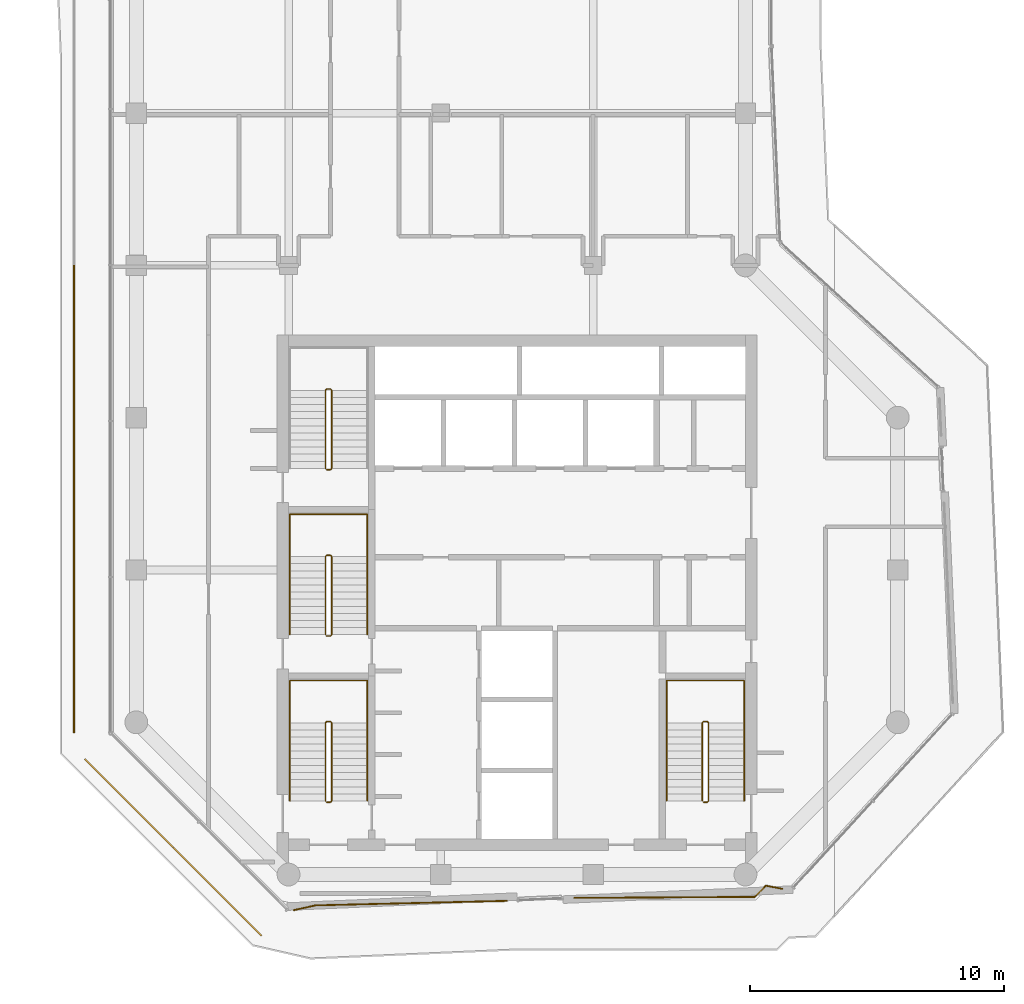
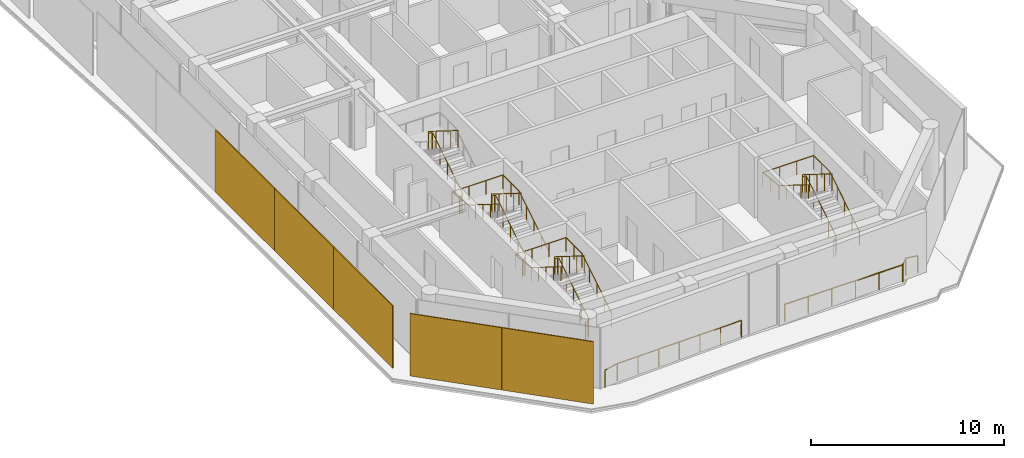
# One storey, part 20 of 21: 9 railings, 5 coverings.
"""IFC4 building model written with IfcOpenShell, lengths in metres."""

from ifc_helpers import new_model, si_unit, direction, frame, origin, origin_2d, place, context, subcontext, project, spatial, rectangle, circle, extrude, material, layer, layer_set, type_object, element, save


model = new_model("IFC4")

# Units and contexts
model_context = context("Model", 3, precision=1e-05, world=origin(), true_north=direction((0.0, 1.0)))
body_context = subcontext(model_context, "Body", "Model", "MODEL_VIEW")
ifc_project = project(units=[si_unit("LENGTHUNIT", "METRE"), si_unit("AREAUNIT", "SQUARE_METRE"), si_unit("VOLUMEUNIT", "CUBIC_METRE"), si_unit("PLANEANGLEUNIT", "RADIAN"), si_unit("MASSUNIT", "GRAM", prefix="KILO")], contexts=[model_context])

# Site, building, storey
site_placement = place(None, origin())
site = spatial("IfcSite", under=ifc_project, at=site_placement, CompositionType="ELEMENT")
building_placement = place(site_placement, origin())
building = spatial("IfcBuilding", under=site, at=building_placement, Name="Welwitschia Terrace Campus", CompositionType="ELEMENT")
storey_placement = place(building_placement, frame((0.0, 0.0, 218.0)))
storey = spatial("IfcBuildingStorey", under=building, at=storey_placement, Name="L48", CompositionType="ELEMENT", Elevation=218.0)

# Coverings
ifc_material_1 = material(Name="Bronze mesh aluminium screen", Category="aluminium")
ifc_layer = layer(ifc_material_1, 0.06005859375)
ifc_layer_set = layer_set([ifc_layer], Name="Bronze mesh aluminium screen")
covering_type = type_object("IfcCoveringType", Name="Bronze screen 60", PredefinedType="USERDEFINED", material=ifc_layer_set)
for number, where, z_axis, x_axis, name in (
    (1, (-0.294921875, 6.81591796875, 0.0), (0.0, 0.0, 1.0), (0.707106781187, -0.707106781187, 0.0), "Screen L48.0.0"),
    (2, (3.19775390625, 3.3232421875, 0.0), (0.0, 0.0, 1.0), (0.707106781187, -0.707106781187, 0.0), "Screen L48.0.1"),
):
    element("IfcCovering", number, at=place(storey_placement, frame(where, z_axis=z_axis, x_axis=x_axis)), inside=storey, type_object=covering_type, Name=name, ObjectType="SCREEN", PredefinedType="USERDEFINED", context=body_context, shape_type="SweptSolid", body=[
        extrude(rectangle(XDim=4.919189453125, YDim=0.06005859375, at=origin_2d()), origin(), (0.0, 0.0, 1.0), 3.949951171875),
    ])
for number, where, z_axis, x_axis, name in (
    (3, (-2.4599609375, 24.9375, 0.0), (0.0, 0.0, 1.0), (0.0, -1.0, 0.0), "Screen L48.9.7"),
    (4, (-2.4599609375, 18.7919921875, 0.0), (0.0, 0.0, 1.0), (0.0, -1.0, 0.0), "Screen L48.9.8"),
    (5, (-2.4599609375, 12.646240234375, 0.0), (0.0, 0.0, 1.0), (0.0, -1.0, 0.0), "Screen L48.9.9"),
):
    element("IfcCovering", number, at=place(storey_placement, frame(where, z_axis=z_axis, x_axis=x_axis)), inside=storey, type_object=covering_type, Name=name, ObjectType="SCREEN", PredefinedType="USERDEFINED", context=body_context, shape_type="SweptSolid", body=[
        extrude(rectangle(XDim=6.125732421875, YDim=0.06005859375, at=origin_2d()), origin(), (0.0, 0.0, 1.0), 3.949951171875),
    ])

# Railings
ifc_material_2 = material(Name="Stainless steel grade 316", Category="steel")
railing_type_1 = type_object("IfcRailingType", Name="Guard 1100", PredefinedType="GUARDRAIL", material=ifc_material_2)
railing_1_placement = place(storey_placement, frame((14.59228515625, 2.965087890625, 0.0)))
element("IfcRailing", 6, at=railing_1_placement, inside=storey, type_object=railing_type_1, Name="Guard floor edge L48.3", PredefinedType="GUARDRAIL", context=body_context, shape_type="SweptSolid", body=[
    extrude(circle(Radius=0.02392578125, at=origin_2d()), frame((0.0, 0.0, 1.076171875), z_axis=(-0.999719348172, -0.023690185539, 0.0), x_axis=(0.023690185539, -0.999719348172, 0.0)), (0.0, 0.0, 1.0), 7.533447265625),
    extrude(circle(Radius=0.02392578125, at=origin_2d()), frame((-7.53125, -0.178466796875, 1.076171875), z_axis=(-0.976496818428, -0.215531815751, 0.0), x_axis=(0.215531815751, -0.976496818428, 0.0)), (0.0, 0.0, 1.0), 0.868896484375),
    extrude(circle(Radius=0.02099609375, at=origin_2d()), origin(), (0.0, 0.0, 1.0), 1.052001953125),
    extrude(circle(Radius=0.02099609375, at=origin_2d()), frame((-1.255126953125, -0.02978515625, 0.0)), (0.0, 0.0, 1.0), 1.052001953125),
    extrude(circle(Radius=0.02099609375, at=origin_2d()), frame((-2.510498046875, -0.0595703125, 0.0)), (0.0, 0.0, 1.0), 1.052001953125),
    extrude(circle(Radius=0.02099609375, at=origin_2d()), frame((-3.765625, -0.08935546875, 0.0)), (0.0, 0.0, 1.0), 1.052001953125),
    extrude(circle(Radius=0.02099609375, at=origin_2d()), frame((-5.020751953125, -0.118896484375, 0.0)), (0.0, 0.0, 1.0), 1.052001953125),
    extrude(circle(Radius=0.02099609375, at=origin_2d()), frame((-6.276123046875, -0.148681640625, 0.0)), (0.0, 0.0, 1.0), 1.052001953125),
    extrude(circle(Radius=0.02099609375, at=origin_2d()), frame((-7.53125, -0.178466796875, 0.0)), (0.0, 0.0, 1.0), 1.052001953125),
    extrude(circle(Radius=0.02099609375, at=origin_2d()), frame((-8.379638671875, -0.36572265625, 0.0)), (0.0, 0.0, 1.0), 1.052001953125),
])
railing_2_placement = place(storey_placement, frame((25.451171875, 3.439208984375, 0.0)))
element("IfcRailing", 7, at=railing_2_placement, inside=storey, type_object=railing_type_1, Name="Guard floor edge L48.4", PredefinedType="GUARDRAIL", context=body_context, shape_type="SweptSolid", body=[
    extrude(circle(Radius=0.02392578125, at=origin_2d()), frame((0.0, 0.0, 1.076171875), z_axis=(-0.982572080873, 0.185881967626, 0.0), x_axis=(-0.185881967626, -0.982572080873, 0.0)), (0.0, 0.0, 1.0), 0.65673828125),
    extrude(circle(Radius=0.02392578125, at=origin_2d()), frame((-0.645263671875, 0.1220703125, 1.076171875), z_axis=(-0.70730235766, -0.706911150604, 0.0), x_axis=(0.706911150604, -0.70730235766, 0.0)), (0.0, 0.0, 1.0), 0.6240234375),
    extrude(circle(Radius=0.02392578125, at=origin_2d()), frame((-1.086669921875, -0.319091796875, 1.076171875), z_axis=(-0.999985439281, -0.005396408551, 0.0), x_axis=(0.005396408551, -0.999985439281, 0.0)), (0.0, 0.0, 1.0), 7.102783203125),
    extrude(circle(Radius=0.02099609375, at=origin_2d()), origin(), (0.0, 0.0, 1.0), 1.052001953125),
    extrude(circle(Radius=0.02099609375, at=origin_2d()), frame((-0.645263671875, 0.1220703125, 0.0)), (0.0, 0.0, 1.0), 1.052001953125),
    extrude(circle(Radius=0.02099609375, at=origin_2d()), frame((-1.086669921875, -0.319091796875, 0.0)), (0.0, 0.0, 1.0), 1.052001953125),
    extrude(circle(Radius=0.02099609375, at=origin_2d()), frame((-2.50732421875, -0.32666015625, 0.0)), (0.0, 0.0, 1.0), 1.052001953125),
    extrude(circle(Radius=0.02099609375, at=origin_2d()), frame((-3.927734375, -0.33447265625, 0.0)), (0.0, 0.0, 1.0), 1.052001953125),
    extrude(circle(Radius=0.02099609375, at=origin_2d()), frame((-5.348388671875, -0.342041015625, 0.0)), (0.0, 0.0, 1.0), 1.052001953125),
    extrude(circle(Radius=0.02099609375, at=origin_2d()), frame((-6.768798828125, -0.349853515625, 0.0)), (0.0, 0.0, 1.0), 1.052001953125),
    extrude(circle(Radius=0.02099609375, at=origin_2d()), frame((-8.189453125, -0.357421875, 0.0)), (0.0, 0.0, 1.0), 1.052001953125),
])
ifc_material_3 = material(Name="Steel S355", Category="steel")
railing_type_2 = type_object("IfcRailingType", Name="Stair guard 1100", PredefinedType="GUARDRAIL", material=ifc_material_3)
railing_3_placement = place(storey_placement, frame((7.5, 6.85009765625, 0.0)))
element("IfcRailing", 8, at=railing_3_placement, inside=storey, type_object=railing_type_2, Name="L48 S1 stair guard", PredefinedType="GUARDRAIL", context=body_context, shape_type="SweptSolid", body=[
    extrude(circle(Radius=0.02392578125, at=origin_2d()), frame((0.0, 0.0, 1.076171875), z_axis=(1.0, 0.0, 0.0), x_axis=(0.0, 1.0, 0.0)), (0.0, 0.0, 1.0), 0.14990234375),
    extrude(circle(Radius=0.02392578125, at=origin_2d()), frame((0.14990234375, 0.0, 1.076171875), z_axis=(0.265155923931, 0.263862480399, 0.927399011991), x_axis=(-0.705375805398, 0.708833529934, 0.0)), (0.0, 0.0, 1.0), 0.188720703125),
    extrude(circle(Radius=0.02392578125, at=origin_2d()), frame((0.199951171875, 0.0498046875, 1.2509765625), z_axis=(0.0, 0.847998304005, 0.529998940003), x_axis=(-1.0, 0.0, 0.0)), (0.0, 0.0, 1.0), 3.632080078125),
    extrude(circle(Radius=0.02392578125, at=origin_2d()), frame((0.199951171875, 3.1298828125, 3.17626953125), z_axis=(-0.707106781187, 0.707106781187, 0.0), x_axis=(-0.707106781187, -0.707106781187, 0.0)), (0.0, 0.0, 1.0), 0.07080078125),
    extrude(circle(Radius=0.02392578125, at=origin_2d()), frame((0.14990234375, 3.179931640625, 3.17626953125), z_axis=(-1.0, 0.0, 0.0), x_axis=(0.0, -1.0, 0.0)), (0.0, 0.0, 1.0), 0.14990234375),
    extrude(circle(Radius=0.02392578125, at=origin_2d()), frame((0.0, 3.179931640625, 3.17626953125), z_axis=(-0.265383341853, -0.265383341853, 0.926899867156), x_axis=(0.707106781187, -0.707106781187, 0.0)), (0.0, 0.0, 1.0), 0.1884765625),
    extrude(circle(Radius=0.02392578125, at=origin_2d()), frame((-0.050048828125, 3.1298828125, 3.35107421875), z_axis=(0.0, -0.847998304005, 0.529998940003), x_axis=(1.0, 0.0, 0.0)), (0.0, 0.0, 1.0), 3.632080078125),
    extrude(circle(Radius=0.02099609375, at=origin_2d()), origin(), (0.0, 0.0, 1.0), 1.052001953125),
    extrude(circle(Radius=0.02099609375, at=origin_2d()), frame((0.14990234375, 0.0, 0.0)), (0.0, 0.0, 1.0), 1.052001953125),
    extrude(circle(Radius=0.02099609375, at=origin_2d()), frame((0.199951171875, 0.0498046875, 0.175048828125)), (0.0, 0.0, 1.0), 1.052001953125),
    extrude(circle(Radius=0.02099609375, at=origin_2d()), frame((0.199951171875, 0.81982421875, 0.65625)), (0.0, 0.0, 1.0), 1.052001953125),
    extrude(circle(Radius=0.02099609375, at=origin_2d()), frame((0.199951171875, 1.58984375, 1.1376953125)), (0.0, 0.0, 1.0), 1.052001953125),
    extrude(circle(Radius=0.02099609375, at=origin_2d()), frame((0.199951171875, 2.35986328125, 1.618896484375)), (0.0, 0.0, 1.0), 1.052001953125),
    extrude(circle(Radius=0.02099609375, at=origin_2d()), frame((0.199951171875, 3.1298828125, 2.10009765625)), (0.0, 0.0, 1.0), 1.052001953125),
    extrude(circle(Radius=0.02099609375, at=origin_2d()), frame((0.14990234375, 3.179931640625, 2.10009765625)), (0.0, 0.0, 1.0), 1.052001953125),
    extrude(circle(Radius=0.02099609375, at=origin_2d()), frame((0.0, 3.179931640625, 2.10009765625)), (0.0, 0.0, 1.0), 1.052001953125),
    extrude(circle(Radius=0.02099609375, at=origin_2d()), frame((-0.050048828125, 3.1298828125, 2.27490234375)), (0.0, 0.0, 1.0), 1.052001953125),
    extrude(circle(Radius=0.02099609375, at=origin_2d()), frame((-0.050048828125, 2.35986328125, 2.756103515625)), (0.0, 0.0, 1.0), 1.052001953125),
    extrude(circle(Radius=0.02099609375, at=origin_2d()), frame((-0.050048828125, 1.58984375, 3.2373046875)), (0.0, 0.0, 1.0), 1.052001953125),
    extrude(circle(Radius=0.02099609375, at=origin_2d()), frame((-0.050048828125, 0.81982421875, 3.71875)), (0.0, 0.0, 1.0), 1.052001953125),
    extrude(circle(Radius=0.02099609375, at=origin_2d()), frame((-0.050048828125, 0.0498046875, 4.199951171875)), (0.0, 0.0, 1.0), 1.052001953125),
])
railing_4_placement = place(storey_placement, frame((7.5, 13.39990234375, 0.0)))
element("IfcRailing", 9, at=railing_4_placement, inside=storey, type_object=railing_type_2, Name="L48 S3 stair guard", PredefinedType="GUARDRAIL", context=body_context, shape_type="SweptSolid", body=[
    extrude(circle(Radius=0.02392578125, at=origin_2d()), frame((0.0, 0.0, 1.076171875), z_axis=(1.0, 0.0, 0.0), x_axis=(0.0, 1.0, 0.0)), (0.0, 0.0, 1.0), 0.14990234375),
    extrude(circle(Radius=0.02392578125, at=origin_2d()), frame((0.14990234375, 0.0, 1.076171875), z_axis=(0.265065253269, 0.265065253269, 0.927081885822), x_axis=(-0.707106781187, 0.707106781187, 0.0)), (0.0, 0.0, 1.0), 0.188720703125),
    extrude(circle(Radius=0.02392578125, at=origin_2d()), frame((0.199951171875, 0.050048828125, 1.2509765625), z_axis=(0.0, 0.847998304005, 0.529998940003), x_axis=(-1.0, 0.0, 0.0)), (0.0, 0.0, 1.0), 3.632080078125),
    extrude(circle(Radius=0.02392578125, at=origin_2d()), frame((0.199951171875, 3.130126953125, 3.17626953125), z_axis=(-0.707106781187, 0.707106781187, 0.0), x_axis=(-0.707106781187, -0.707106781187, 0.0)), (0.0, 0.0, 1.0), 0.07080078125),
    extrude(circle(Radius=0.02392578125, at=origin_2d()), frame((0.14990234375, 3.18017578125, 3.17626953125), z_axis=(-1.0, 0.0, 0.0), x_axis=(0.0, -1.0, 0.0)), (0.0, 0.0, 1.0), 0.14990234375),
    extrude(circle(Radius=0.02392578125, at=origin_2d()), frame((0.0, 3.18017578125, 3.17626953125), z_axis=(-0.265383341853, -0.265383341853, 0.926899867156), x_axis=(0.707106781187, -0.707106781187, 0.0)), (0.0, 0.0, 1.0), 0.1884765625),
    extrude(circle(Radius=0.02392578125, at=origin_2d()), frame((-0.050048828125, 3.130126953125, 3.35107421875), z_axis=(0.0, -0.847998304005, 0.529998940003), x_axis=(1.0, 0.0, 0.0)), (0.0, 0.0, 1.0), 3.632080078125),
    extrude(circle(Radius=0.02099609375, at=origin_2d()), origin(), (0.0, 0.0, 1.0), 1.052001953125),
    extrude(circle(Radius=0.02099609375, at=origin_2d()), frame((0.14990234375, 0.0, 0.0)), (0.0, 0.0, 1.0), 1.052001953125),
    extrude(circle(Radius=0.02099609375, at=origin_2d()), frame((0.199951171875, 0.050048828125, 0.175048828125)), (0.0, 0.0, 1.0), 1.052001953125),
    extrude(circle(Radius=0.02099609375, at=origin_2d()), frame((0.199951171875, 0.820068359375, 0.65625)), (0.0, 0.0, 1.0), 1.052001953125),
    extrude(circle(Radius=0.02099609375, at=origin_2d()), frame((0.199951171875, 1.590087890625, 1.1376953125)), (0.0, 0.0, 1.0), 1.052001953125),
    extrude(circle(Radius=0.02099609375, at=origin_2d()), frame((0.199951171875, 2.360107421875, 1.618896484375)), (0.0, 0.0, 1.0), 1.052001953125),
    extrude(circle(Radius=0.02099609375, at=origin_2d()), frame((0.199951171875, 3.130126953125, 2.10009765625)), (0.0, 0.0, 1.0), 1.052001953125),
    extrude(circle(Radius=0.02099609375, at=origin_2d()), frame((0.14990234375, 3.18017578125, 2.10009765625)), (0.0, 0.0, 1.0), 1.052001953125),
    extrude(circle(Radius=0.02099609375, at=origin_2d()), frame((0.0, 3.18017578125, 2.10009765625)), (0.0, 0.0, 1.0), 1.052001953125),
    extrude(circle(Radius=0.02099609375, at=origin_2d()), frame((-0.050048828125, 3.130126953125, 2.27490234375)), (0.0, 0.0, 1.0), 1.052001953125),
    extrude(circle(Radius=0.02099609375, at=origin_2d()), frame((-0.050048828125, 2.360107421875, 2.756103515625)), (0.0, 0.0, 1.0), 1.052001953125),
    extrude(circle(Radius=0.02099609375, at=origin_2d()), frame((-0.050048828125, 1.590087890625, 3.2373046875)), (0.0, 0.0, 1.0), 1.052001953125),
    extrude(circle(Radius=0.02099609375, at=origin_2d()), frame((-0.050048828125, 0.820068359375, 3.71875)), (0.0, 0.0, 1.0), 1.052001953125),
    extrude(circle(Radius=0.02099609375, at=origin_2d()), frame((-0.050048828125, 0.050048828125, 4.199951171875)), (0.0, 0.0, 1.0), 1.052001953125),
])
railing_5_placement = place(storey_placement, frame((7.5, 19.949951171875, 0.0)))
element("IfcRailing", 10, at=railing_5_placement, inside=storey, type_object=railing_type_2, Name="L48 S4 stair guard", PredefinedType="GUARDRAIL", context=body_context, shape_type="SweptSolid", body=[
    extrude(circle(Radius=0.02392578125, at=origin_2d()), frame((0.0, 0.0, 1.076171875), z_axis=(1.0, 0.0, 0.0), x_axis=(0.0, 1.0, 0.0)), (0.0, 0.0, 1.0), 0.14990234375),
    extrude(circle(Radius=0.02392578125, at=origin_2d()), frame((0.14990234375, 0.0, 1.076171875), z_axis=(0.265065253269, 0.265065253269, 0.927081885822), x_axis=(-0.707106781187, 0.707106781187, 0.0)), (0.0, 0.0, 1.0), 0.188720703125),
    extrude(circle(Radius=0.02392578125, at=origin_2d()), frame((0.199951171875, 0.050048828125, 1.2509765625), z_axis=(0.0, 0.847998304005, 0.529998940003), x_axis=(-1.0, 0.0, 0.0)), (0.0, 0.0, 1.0), 3.632080078125),
    extrude(circle(Radius=0.02392578125, at=origin_2d()), frame((0.199951171875, 3.130126953125, 3.17626953125), z_axis=(-0.708833529934, 0.705375805398, 0.0), x_axis=(-0.705375805398, -0.708833529934, 0.0)), (0.0, 0.0, 1.0), 0.070556640625),
    extrude(circle(Radius=0.02392578125, at=origin_2d()), frame((0.14990234375, 3.179931640625, 3.17626953125), z_axis=(-1.0, 0.0, 0.0), x_axis=(0.0, -1.0, 0.0)), (0.0, 0.0, 1.0), 0.14990234375),
    extrude(circle(Radius=0.02392578125, at=origin_2d()), frame((0.0, 3.179931640625, 3.17626953125), z_axis=(-0.265474339444, -0.264179342666, 0.927217692888), x_axis=(0.705375805398, -0.708833529934, 0.0)), (0.0, 0.0, 1.0), 0.1884765625),
    extrude(circle(Radius=0.02392578125, at=origin_2d()), frame((-0.050048828125, 3.130126953125, 3.35107421875), z_axis=(0.0, -0.847998304005, 0.529998940003), x_axis=(1.0, 0.0, 0.0)), (0.0, 0.0, 1.0), 3.632080078125),
    extrude(circle(Radius=0.02099609375, at=origin_2d()), origin(), (0.0, 0.0, 1.0), 1.052001953125),
    extrude(circle(Radius=0.02099609375, at=origin_2d()), frame((0.14990234375, 0.0, 0.0)), (0.0, 0.0, 1.0), 1.052001953125),
    extrude(circle(Radius=0.02099609375, at=origin_2d()), frame((0.199951171875, 0.050048828125, 0.175048828125)), (0.0, 0.0, 1.0), 1.052001953125),
    extrude(circle(Radius=0.02099609375, at=origin_2d()), frame((0.199951171875, 0.820068359375, 0.65625)), (0.0, 0.0, 1.0), 1.052001953125),
    extrude(circle(Radius=0.02099609375, at=origin_2d()), frame((0.199951171875, 1.590087890625, 1.1376953125)), (0.0, 0.0, 1.0), 1.052001953125),
    extrude(circle(Radius=0.02099609375, at=origin_2d()), frame((0.199951171875, 2.360107421875, 1.618896484375)), (0.0, 0.0, 1.0), 1.052001953125),
    extrude(circle(Radius=0.02099609375, at=origin_2d()), frame((0.199951171875, 3.130126953125, 2.10009765625)), (0.0, 0.0, 1.0), 1.052001953125),
    extrude(circle(Radius=0.02099609375, at=origin_2d()), frame((0.14990234375, 3.179931640625, 2.10009765625)), (0.0, 0.0, 1.0), 1.052001953125),
    extrude(circle(Radius=0.02099609375, at=origin_2d()), frame((0.0, 3.179931640625, 2.10009765625)), (0.0, 0.0, 1.0), 1.052001953125),
    extrude(circle(Radius=0.02099609375, at=origin_2d()), frame((-0.050048828125, 3.130126953125, 2.27490234375)), (0.0, 0.0, 1.0), 1.052001953125),
    extrude(circle(Radius=0.02099609375, at=origin_2d()), frame((-0.050048828125, 2.360107421875, 2.756103515625)), (0.0, 0.0, 1.0), 1.052001953125),
    extrude(circle(Radius=0.02099609375, at=origin_2d()), frame((-0.050048828125, 1.590087890625, 3.2373046875)), (0.0, 0.0, 1.0), 1.052001953125),
    extrude(circle(Radius=0.02099609375, at=origin_2d()), frame((-0.050048828125, 0.820068359375, 3.71875)), (0.0, 0.0, 1.0), 1.052001953125),
    extrude(circle(Radius=0.02099609375, at=origin_2d()), frame((-0.050048828125, 0.050048828125, 4.199951171875)), (0.0, 0.0, 1.0), 1.052001953125),
])
railing_6_placement = place(storey_placement, frame((22.35009765625, 6.85009765625, 0.0)))
element("IfcRailing", 11, at=railing_6_placement, inside=storey, type_object=railing_type_2, Name="L48 S2 stair guard", PredefinedType="GUARDRAIL", context=body_context, shape_type="SweptSolid", body=[
    extrude(circle(Radius=0.02392578125, at=origin_2d()), frame((0.0, 0.0, 1.076171875), z_axis=(1.0, 0.0, 0.0), x_axis=(0.0, 1.0, 0.0)), (0.0, 0.0, 1.0), 0.14990234375),
    extrude(circle(Radius=0.02392578125, at=origin_2d()), frame((0.14990234375, 0.0, 1.076171875), z_axis=(0.265155923931, 0.263862480399, 0.927399011991), x_axis=(-0.705375805398, 0.708833529934, 0.0)), (0.0, 0.0, 1.0), 0.188720703125),
    extrude(circle(Radius=0.02392578125, at=origin_2d()), frame((0.199951171875, 0.0498046875, 1.2509765625), z_axis=(0.0, 0.847998304005, 0.529998940003), x_axis=(-1.0, 0.0, 0.0)), (0.0, 0.0, 1.0), 3.632080078125),
    extrude(circle(Radius=0.02392578125, at=origin_2d()), frame((0.199951171875, 3.1298828125, 3.17626953125), z_axis=(-0.707106781187, 0.707106781187, 0.0), x_axis=(-0.707106781187, -0.707106781187, 0.0)), (0.0, 0.0, 1.0), 0.07080078125),
    extrude(circle(Radius=0.02392578125, at=origin_2d()), frame((0.14990234375, 3.179931640625, 3.17626953125), z_axis=(-1.0, 0.0, 0.0), x_axis=(0.0, -1.0, 0.0)), (0.0, 0.0, 1.0), 0.14990234375),
    extrude(circle(Radius=0.02392578125, at=origin_2d()), frame((0.0, 3.179931640625, 3.17626953125), z_axis=(-0.265383341853, -0.265383341853, 0.926899867156), x_axis=(0.707106781187, -0.707106781187, 0.0)), (0.0, 0.0, 1.0), 0.1884765625),
    extrude(circle(Radius=0.02392578125, at=origin_2d()), frame((-0.050048828125, 3.1298828125, 3.35107421875), z_axis=(0.0, -0.847998304005, 0.529998940003), x_axis=(1.0, 0.0, 0.0)), (0.0, 0.0, 1.0), 3.632080078125),
    extrude(circle(Radius=0.02099609375, at=origin_2d()), origin(), (0.0, 0.0, 1.0), 1.052001953125),
    extrude(circle(Radius=0.02099609375, at=origin_2d()), frame((0.14990234375, 0.0, 0.0)), (0.0, 0.0, 1.0), 1.052001953125),
    extrude(circle(Radius=0.02099609375, at=origin_2d()), frame((0.199951171875, 0.0498046875, 0.175048828125)), (0.0, 0.0, 1.0), 1.052001953125),
    extrude(circle(Radius=0.02099609375, at=origin_2d()), frame((0.199951171875, 0.81982421875, 0.65625)), (0.0, 0.0, 1.0), 1.052001953125),
    extrude(circle(Radius=0.02099609375, at=origin_2d()), frame((0.199951171875, 1.58984375, 1.1376953125)), (0.0, 0.0, 1.0), 1.052001953125),
    extrude(circle(Radius=0.02099609375, at=origin_2d()), frame((0.199951171875, 2.35986328125, 1.618896484375)), (0.0, 0.0, 1.0), 1.052001953125),
    extrude(circle(Radius=0.02099609375, at=origin_2d()), frame((0.199951171875, 3.1298828125, 2.10009765625)), (0.0, 0.0, 1.0), 1.052001953125),
    extrude(circle(Radius=0.02099609375, at=origin_2d()), frame((0.14990234375, 3.179931640625, 2.10009765625)), (0.0, 0.0, 1.0), 1.052001953125),
    extrude(circle(Radius=0.02099609375, at=origin_2d()), frame((0.0, 3.179931640625, 2.10009765625)), (0.0, 0.0, 1.0), 1.052001953125),
    extrude(circle(Radius=0.02099609375, at=origin_2d()), frame((-0.050048828125, 3.1298828125, 2.27490234375)), (0.0, 0.0, 1.0), 1.052001953125),
    extrude(circle(Radius=0.02099609375, at=origin_2d()), frame((-0.050048828125, 2.35986328125, 2.756103515625)), (0.0, 0.0, 1.0), 1.052001953125),
    extrude(circle(Radius=0.02099609375, at=origin_2d()), frame((-0.050048828125, 1.58984375, 3.2373046875)), (0.0, 0.0, 1.0), 1.052001953125),
    extrude(circle(Radius=0.02099609375, at=origin_2d()), frame((-0.050048828125, 0.81982421875, 3.71875)), (0.0, 0.0, 1.0), 1.052001953125),
    extrude(circle(Radius=0.02099609375, at=origin_2d()), frame((-0.050048828125, 0.0498046875, 4.199951171875)), (0.0, 0.0, 1.0), 1.052001953125),
])
ifc_material_4 = material(Name="Steel S355", Category="steel")
railing_type_3 = type_object("IfcRailingType", Name="Stair handrail 900", PredefinedType="HANDRAIL", material=ifc_material_4)
railing_7_placement = place(storey_placement, frame((9.10009765625, 6.89990234375, 0.175048828125)))
element("IfcRailing", 12, at=railing_7_placement, inside=storey, type_object=railing_type_3, Name="L48 S1 stair handrail", PredefinedType="HANDRAIL", context=body_context, shape_type="SweptSolid", body=[
    extrude(circle(Radius=0.02392578125, at=origin_2d()), frame((0.0, 0.0, 0.8759765625), z_axis=(0.0, 0.847998304005, 0.529998940003), x_axis=(-1.0, 0.0, 0.0)), (0.0, 0.0, 1.0), 3.632080078125),
    extrude(circle(Radius=0.02392578125, at=origin_2d()), frame((0.0, 3.080078125, 2.80078125), z_axis=(0.0, 1.0, 0.0), x_axis=(-1.0, 0.0, 0.0)), (0.0, 0.0, 1.0), 1.669921875),
    extrude(circle(Radius=0.02392578125, at=origin_2d()), frame((0.0, 4.75, 2.80078125), z_axis=(-1.0, 0.0, 0.0), x_axis=(0.0, -1.0, 0.0)), (0.0, 0.0, 1.0), 3.050048828125),
    extrude(circle(Radius=0.02392578125, at=origin_2d()), frame((-3.050048828125, 4.75, 2.80078125), z_axis=(0.0, -0.994565838508, 0.104109523446), x_axis=(1.0, 0.0, 0.0)), (0.0, 0.0, 1.0), 1.678955078125),
    extrude(circle(Radius=0.02392578125, at=origin_2d()), frame((-3.050048828125, 3.080078125, 2.9755859375), z_axis=(0.0, -0.847998304005, 0.529998940003), x_axis=(1.0, 0.0, 0.0)), (0.0, 0.0, 1.0), 3.632080078125),
    extrude(circle(Radius=0.02099609375, at=origin_2d()), origin(), (0.0, 0.0, 1.0), 0.851806640625),
    extrude(circle(Radius=0.02099609375, at=origin_2d()), frame((0.0, 0.77001953125, 0.481201171875)), (0.0, 0.0, 1.0), 0.851806640625),
    extrude(circle(Radius=0.02099609375, at=origin_2d()), frame((0.0, 1.5400390625, 0.96240234375)), (0.0, 0.0, 1.0), 0.851806640625),
    extrude(circle(Radius=0.02099609375, at=origin_2d()), frame((0.0, 2.31005859375, 1.44384765625)), (0.0, 0.0, 1.0), 0.851806640625),
    extrude(circle(Radius=0.02099609375, at=origin_2d()), frame((0.0, 3.080078125, 1.925048828125)), (0.0, 0.0, 1.0), 0.851806640625),
    extrude(circle(Radius=0.02099609375, at=origin_2d()), frame((0.0, 3.9150390625, 1.925048828125)), (0.0, 0.0, 1.0), 0.851806640625),
    extrude(circle(Radius=0.02099609375, at=origin_2d()), frame((0.0, 4.75, 1.925048828125)), (0.0, 0.0, 1.0), 0.851806640625),
    extrude(circle(Radius=0.02099609375, at=origin_2d()), frame((-1.0166015625, 4.75, 1.925048828125)), (0.0, 0.0, 1.0), 0.851806640625),
    extrude(circle(Radius=0.02099609375, at=origin_2d()), frame((-2.033447265625, 4.75, 1.925048828125)), (0.0, 0.0, 1.0), 0.851806640625),
    extrude(circle(Radius=0.02099609375, at=origin_2d()), frame((-3.050048828125, 4.75, 1.925048828125)), (0.0, 0.0, 1.0), 0.851806640625),
    extrude(circle(Radius=0.02099609375, at=origin_2d()), frame((-3.050048828125, 3.9150390625, 2.012451171875)), (0.0, 0.0, 1.0), 0.851806640625),
    extrude(circle(Radius=0.02099609375, at=origin_2d()), frame((-3.050048828125, 3.080078125, 2.099853515625)), (0.0, 0.0, 1.0), 0.851806640625),
    extrude(circle(Radius=0.02099609375, at=origin_2d()), frame((-3.050048828125, 2.31005859375, 2.5810546875)), (0.0, 0.0, 1.0), 0.851806640625),
    extrude(circle(Radius=0.02099609375, at=origin_2d()), frame((-3.050048828125, 1.5400390625, 3.0625)), (0.0, 0.0, 1.0), 0.851806640625),
    extrude(circle(Radius=0.02099609375, at=origin_2d()), frame((-3.050048828125, 0.77001953125, 3.543701171875)), (0.0, 0.0, 1.0), 0.851806640625),
    extrude(circle(Radius=0.02099609375, at=origin_2d()), frame((-3.050048828125, 0.0, 4.02490234375)), (0.0, 0.0, 1.0), 0.851806640625),
])
railing_8_placement = place(storey_placement, frame((9.10009765625, 13.449951171875, 0.175048828125)))
element("IfcRailing", 13, at=railing_8_placement, inside=storey, type_object=railing_type_3, Name="L48 S3 stair handrail", PredefinedType="HANDRAIL", context=body_context, shape_type="SweptSolid", body=[
    extrude(circle(Radius=0.02392578125, at=origin_2d()), frame((0.0, 0.0, 0.8759765625), z_axis=(0.0, 0.847998304005, 0.529998940003), x_axis=(-1.0, 0.0, 0.0)), (0.0, 0.0, 1.0), 3.632080078125),
    extrude(circle(Radius=0.02392578125, at=origin_2d()), frame((0.0, 3.080078125, 2.80078125), z_axis=(0.0, 1.0, 0.0), x_axis=(-1.0, 0.0, 0.0)), (0.0, 0.0, 1.0), 1.669921875),
    extrude(circle(Radius=0.02392578125, at=origin_2d()), frame((0.0, 4.75, 2.80078125), z_axis=(-1.0, 0.0, 0.0), x_axis=(0.0, -1.0, 0.0)), (0.0, 0.0, 1.0), 3.050048828125),
    extrude(circle(Radius=0.02392578125, at=origin_2d()), frame((-3.050048828125, 4.75, 2.80078125), z_axis=(0.0, -0.994565838508, 0.104109523446), x_axis=(1.0, 0.0, 0.0)), (0.0, 0.0, 1.0), 1.678955078125),
    extrude(circle(Radius=0.02392578125, at=origin_2d()), frame((-3.050048828125, 3.080078125, 2.9755859375), z_axis=(0.0, -0.847998304005, 0.529998940003), x_axis=(1.0, 0.0, 0.0)), (0.0, 0.0, 1.0), 3.632080078125),
    extrude(circle(Radius=0.02099609375, at=origin_2d()), origin(), (0.0, 0.0, 1.0), 0.851806640625),
    extrude(circle(Radius=0.02099609375, at=origin_2d()), frame((0.0, 0.77001953125, 0.481201171875)), (0.0, 0.0, 1.0), 0.851806640625),
    extrude(circle(Radius=0.02099609375, at=origin_2d()), frame((0.0, 1.5400390625, 0.96240234375)), (0.0, 0.0, 1.0), 0.851806640625),
    extrude(circle(Radius=0.02099609375, at=origin_2d()), frame((0.0, 2.31005859375, 1.44384765625)), (0.0, 0.0, 1.0), 0.851806640625),
    extrude(circle(Radius=0.02099609375, at=origin_2d()), frame((0.0, 3.080078125, 1.925048828125)), (0.0, 0.0, 1.0), 0.851806640625),
    extrude(circle(Radius=0.02099609375, at=origin_2d()), frame((0.0, 3.9150390625, 1.925048828125)), (0.0, 0.0, 1.0), 0.851806640625),
    extrude(circle(Radius=0.02099609375, at=origin_2d()), frame((0.0, 4.75, 1.925048828125)), (0.0, 0.0, 1.0), 0.851806640625),
    extrude(circle(Radius=0.02099609375, at=origin_2d()), frame((-1.0166015625, 4.75, 1.925048828125)), (0.0, 0.0, 1.0), 0.851806640625),
    extrude(circle(Radius=0.02099609375, at=origin_2d()), frame((-2.033447265625, 4.75, 1.925048828125)), (0.0, 0.0, 1.0), 0.851806640625),
    extrude(circle(Radius=0.02099609375, at=origin_2d()), frame((-3.050048828125, 4.75, 1.925048828125)), (0.0, 0.0, 1.0), 0.851806640625),
    extrude(circle(Radius=0.02099609375, at=origin_2d()), frame((-3.050048828125, 3.9150390625, 2.012451171875)), (0.0, 0.0, 1.0), 0.851806640625),
    extrude(circle(Radius=0.02099609375, at=origin_2d()), frame((-3.050048828125, 3.080078125, 2.099853515625)), (0.0, 0.0, 1.0), 0.851806640625),
    extrude(circle(Radius=0.02099609375, at=origin_2d()), frame((-3.050048828125, 2.31005859375, 2.5810546875)), (0.0, 0.0, 1.0), 0.851806640625),
    extrude(circle(Radius=0.02099609375, at=origin_2d()), frame((-3.050048828125, 1.5400390625, 3.0625)), (0.0, 0.0, 1.0), 0.851806640625),
    extrude(circle(Radius=0.02099609375, at=origin_2d()), frame((-3.050048828125, 0.77001953125, 3.543701171875)), (0.0, 0.0, 1.0), 0.851806640625),
    extrude(circle(Radius=0.02099609375, at=origin_2d()), frame((-3.050048828125, 0.0, 4.02490234375)), (0.0, 0.0, 1.0), 0.851806640625),
])
railing_9_placement = place(storey_placement, frame((23.949951171875, 6.89990234375, 0.175048828125)))
element("IfcRailing", 14, at=railing_9_placement, inside=storey, type_object=railing_type_3, Name="L48 S2 stair handrail", PredefinedType="HANDRAIL", context=body_context, shape_type="SweptSolid", body=[
    extrude(circle(Radius=0.02392578125, at=origin_2d()), frame((0.0, 0.0, 0.8759765625), z_axis=(0.0, 0.847998304005, 0.529998940003), x_axis=(-1.0, 0.0, 0.0)), (0.0, 0.0, 1.0), 3.632080078125),
    extrude(circle(Radius=0.02392578125, at=origin_2d()), frame((0.0, 3.080078125, 2.80078125), z_axis=(0.0, 1.0, 0.0), x_axis=(-1.0, 0.0, 0.0)), (0.0, 0.0, 1.0), 1.669921875),
    extrude(circle(Radius=0.02392578125, at=origin_2d()), frame((0.0, 4.75, 2.80078125), z_axis=(-1.0, 0.0, 0.0), x_axis=(0.0, -1.0, 0.0)), (0.0, 0.0, 1.0), 3.050048828125),
    extrude(circle(Radius=0.02392578125, at=origin_2d()), frame((-3.050048828125, 4.75, 2.80078125), z_axis=(0.0, -0.994565838508, 0.104109523446), x_axis=(1.0, 0.0, 0.0)), (0.0, 0.0, 1.0), 1.678955078125),
    extrude(circle(Radius=0.02392578125, at=origin_2d()), frame((-3.050048828125, 3.080078125, 2.9755859375), z_axis=(0.0, -0.847998304005, 0.529998940003), x_axis=(1.0, 0.0, 0.0)), (0.0, 0.0, 1.0), 3.632080078125),
    extrude(circle(Radius=0.02099609375, at=origin_2d()), origin(), (0.0, 0.0, 1.0), 0.851806640625),
    extrude(circle(Radius=0.02099609375, at=origin_2d()), frame((0.0, 0.77001953125, 0.481201171875)), (0.0, 0.0, 1.0), 0.851806640625),
    extrude(circle(Radius=0.02099609375, at=origin_2d()), frame((0.0, 1.5400390625, 0.96240234375)), (0.0, 0.0, 1.0), 0.851806640625),
    extrude(circle(Radius=0.02099609375, at=origin_2d()), frame((0.0, 2.31005859375, 1.44384765625)), (0.0, 0.0, 1.0), 0.851806640625),
    extrude(circle(Radius=0.02099609375, at=origin_2d()), frame((0.0, 3.080078125, 1.925048828125)), (0.0, 0.0, 1.0), 0.851806640625),
    extrude(circle(Radius=0.02099609375, at=origin_2d()), frame((0.0, 3.9150390625, 1.925048828125)), (0.0, 0.0, 1.0), 0.851806640625),
    extrude(circle(Radius=0.02099609375, at=origin_2d()), frame((0.0, 4.75, 1.925048828125)), (0.0, 0.0, 1.0), 0.851806640625),
    extrude(circle(Radius=0.02099609375, at=origin_2d()), frame((-1.0166015625, 4.75, 1.925048828125)), (0.0, 0.0, 1.0), 0.851806640625),
    extrude(circle(Radius=0.02099609375, at=origin_2d()), frame((-2.033447265625, 4.75, 1.925048828125)), (0.0, 0.0, 1.0), 0.851806640625),
    extrude(circle(Radius=0.02099609375, at=origin_2d()), frame((-3.050048828125, 4.75, 1.925048828125)), (0.0, 0.0, 1.0), 0.851806640625),
    extrude(circle(Radius=0.02099609375, at=origin_2d()), frame((-3.050048828125, 3.9150390625, 2.012451171875)), (0.0, 0.0, 1.0), 0.851806640625),
    extrude(circle(Radius=0.02099609375, at=origin_2d()), frame((-3.050048828125, 3.080078125, 2.099853515625)), (0.0, 0.0, 1.0), 0.851806640625),
    extrude(circle(Radius=0.02099609375, at=origin_2d()), frame((-3.050048828125, 2.31005859375, 2.5810546875)), (0.0, 0.0, 1.0), 0.851806640625),
    extrude(circle(Radius=0.02099609375, at=origin_2d()), frame((-3.050048828125, 1.5400390625, 3.0625)), (0.0, 0.0, 1.0), 0.851806640625),
    extrude(circle(Radius=0.02099609375, at=origin_2d()), frame((-3.050048828125, 0.77001953125, 3.543701171875)), (0.0, 0.0, 1.0), 0.851806640625),
    extrude(circle(Radius=0.02099609375, at=origin_2d()), frame((-3.050048828125, 0.0, 4.02490234375)), (0.0, 0.0, 1.0), 0.851806640625),
])

save(model, "model.ifc")
